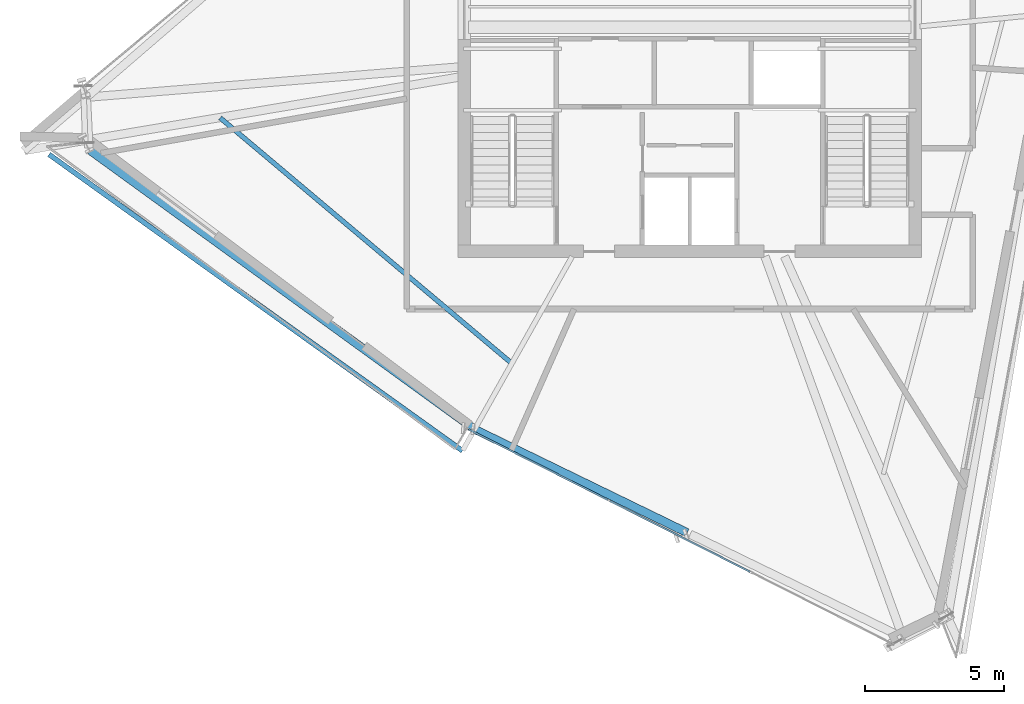
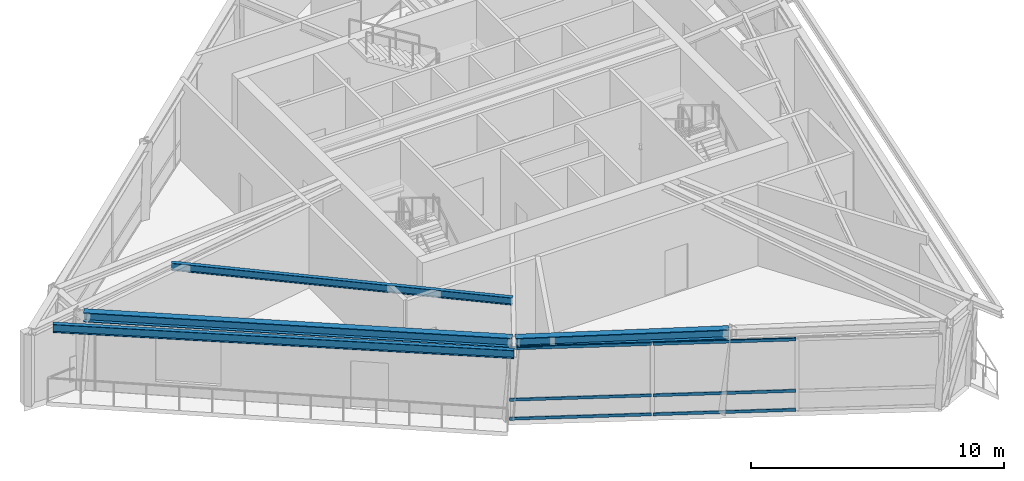
# One storey, part 3 of 21: 6 members, 4 beams, 1 element without a shape of its own.
"""IFC4 building model written with IfcOpenShell, lengths in metres."""

import ifcopenshell
import ifcopenshell.guid

model = None  # the IFC model being written
_history = None  # IfcOwnerHistory: only IFC2X3 demands one
_inside = {}  # id of a spatial element -> (the spatial element, [elements in it])
_under = {}  # id of a project, library or spatial element -> (it, [spatial elements below it])
_declared = {}  # id of a project -> (the project, [libraries it declares])
_typed = {}  # id of a type object -> (the type object, [elements of that type])
_made_of = {}  # id of a material, layer set ... -> (it, [elements and type objects made of it])


def new_model(schema):
    """Start an empty IFC model of exactly this schema.

    Asked for "IFC4X3", IfcOpenShell would pick the latest addendum, in which some entities
    have other attributes; the version numbers below select the first issue.
    IFC2X3 requires an IfcOwnerHistory on every rooted entity: one is made here for all.
    """
    global model, _history
    if schema == "IFC4X3":
        model = ifcopenshell.file(schema_version=(4, 3, 0, 0))
    else:
        model = ifcopenshell.file(schema=schema)
    _inside.clear()
    _under.clear()
    _declared.clear()
    _typed.clear()
    _made_of.clear()
    _history = None
    if model.schema == "IFC2X3":
        org = make("IfcOrganization", Name="unknown")
        user = make(
            "IfcPersonAndOrganization",
            ThePerson=make("IfcPerson", FamilyName="unknown"),
            TheOrganization=org,
        )
        app = make(
            "IfcApplication",
            ApplicationDeveloper=org,
            Version="unknown",
            ApplicationFullName="unknown",
            ApplicationIdentifier="unknown",
        )
        _history = make(
            "IfcOwnerHistory",
            OwningUser=user,
            OwningApplication=app,
            ChangeAction="ADDED",
            CreationDate=0,
        )
    return model


def make(cls, **values):
    """One entity of the class cls with the attributes given. An attribute that is None is left unset."""
    return model.create_entity(
        cls, **{name: value for name, value in values.items() if value is not None}
    )


def rooted(cls, **values):
    """An entity with a GlobalId (a new one), such as an element, a storey or a relation."""
    return make(cls, GlobalId=ifcopenshell.guid.new(), OwnerHistory=_history, **values)


def si_unit(unit_type, name, prefix=None):
    """IfcSIUnit, for example si_unit("LENGTHUNIT", "METRE", prefix="MILLI")."""
    return make("IfcSIUnit", UnitType=unit_type, Prefix=prefix, Name=name)


def assignment(units):
    """IfcUnitAssignment: the units of a project."""
    return None if units is None else make("IfcUnitAssignment", Units=units)


def point(xyz):
    """IfcCartesianPoint."""
    return None if xyz is None else make("IfcCartesianPoint", Coordinates=xyz)


def direction(xyz):
    """IfcDirection."""
    return None if xyz is None else make("IfcDirection", DirectionRatios=xyz)


def frame(location, z_axis=None, x_axis=None):
    """IfcAxis2Placement3D, a coordinate frame: its origin and axes. An axis left out is left unset."""
    return make(
        "IfcAxis2Placement3D",
        Location=point(location),
        Axis=direction(z_axis),
        RefDirection=direction(x_axis),
    )


def frame_2d(location, x_axis=None):
    """IfcAxis2Placement2D, a coordinate frame in the plane: its origin and x axis."""
    return make(
        "IfcAxis2Placement2D", Location=point(location), RefDirection=direction(x_axis)
    )


def origin():
    """The frame at (0, 0, 0) with its axes left unset."""
    return frame((0.0, 0.0, 0.0))


def origin_2d():
    """The frame at (0, 0) in the plane with its x axis left unset."""
    return frame_2d((0.0, 0.0))


def place(relative_to, where):
    """IfcLocalPlacement: puts the frame where relative to a parent placement (None: the world)."""
    return make(
        "IfcLocalPlacement", PlacementRelTo=relative_to, RelativePlacement=where
    )


def context(
    kind, dimensions, precision=None, world=None, true_north=None, identifier=None
):
    """IfcGeometricRepresentationContext, for example the 3D "Model" context."""
    return make(
        "IfcGeometricRepresentationContext",
        ContextIdentifier=identifier,
        ContextType=kind,
        CoordinateSpaceDimension=dimensions,
        Precision=precision,
        WorldCoordinateSystem=world,
        TrueNorth=true_north,
    )


def subcontext(parent, identifier, kind, view, scale=None):
    """IfcGeometricRepresentationSubContext, for example "Body" below "Model"."""
    return make(
        "IfcGeometricRepresentationSubContext",
        ContextIdentifier=identifier,
        ContextType=kind,
        ParentContext=parent,
        TargetScale=scale,
        TargetView=view,
    )


def project(units=None, contexts=None):
    """IfcProject with its units and contexts."""
    return rooted(
        "IfcProject",
        Name="project",
        RepresentationContexts=contexts,
        UnitsInContext=assignment(units),
    )


def spatial(cls, under=None, at=None, **own):
    """A site, building, storey or space (cls), placed at a placement, below another one or the project."""
    s = rooted(cls, ObjectPlacement=at, **own)
    if under is not None:
        _under.setdefault(under.id(), (under, []))[1].append(s)
    return s


def profile(cls, at=None, kind="AREA", **sizes):
    """A parametric profile (cls). Its sizes go by their IFC names, for example OverallWidth=200.0."""
    return make(cls, ProfileType=kind, Position=at, **sizes)


def hollow_rectangle(**sizes):
    """IfcRectangleHollowProfileDef."""
    return profile("IfcRectangleHollowProfileDef", **sizes)


def i_section(**sizes):
    """IfcIShapeProfileDef."""
    return profile("IfcIShapeProfileDef", **sizes)


def extrude(swept, where, along, depth):
    """IfcExtrudedAreaSolid: the profile swept, set in the frame where, extruded along a direction by depth."""
    return make(
        "IfcExtrudedAreaSolid",
        SweptArea=swept,
        Position=where,
        ExtrudedDirection=direction(along),
        Depth=depth,
    )


def shape(context_of_items, identifier, shape_type, items):
    """IfcShapeRepresentation: the items that make up one representation, for example the "Body"."""
    return make(
        "IfcShapeRepresentation",
        ContextOfItems=context_of_items,
        RepresentationIdentifier=identifier,
        RepresentationType=shape_type,
        Items=items,
    )


def source(mapping_origin, context_of_items, identifier, shape_type, items):
    """IfcRepresentationMap: a shape defined once, which mapped items show again and again."""
    return make(
        "IfcRepresentationMap",
        MappingOrigin=mapping_origin,
        MappedRepresentation=shape(context_of_items, identifier, shape_type, items),
    )


def transform(
    local_origin,
    x_axis=None,
    y_axis=None,
    z_axis=None,
    scale=None,
    scale2=None,
    scale3=None,
    uniform=True,
):
    """IfcCartesianTransformationOperator3D, or its non-uniform kind. x_axis, y_axis, z_axis: its Axis1, 2, 3."""
    if uniform:
        return make(
            "IfcCartesianTransformationOperator3D",
            Axis1=direction(x_axis),
            Axis2=direction(y_axis),
            LocalOrigin=point(local_origin),
            Scale=scale,
            Axis3=direction(z_axis),
        )
    return make(
        "IfcCartesianTransformationOperator3DnonUniform",
        Axis1=direction(x_axis),
        Axis2=direction(y_axis),
        LocalOrigin=point(local_origin),
        Scale=scale,
        Axis3=direction(z_axis),
        Scale2=scale2,
        Scale3=scale3,
    )


def mapped(mapping_source, mapping_target):
    """IfcMappedItem: shows the shape of a source again, moved by a transform."""
    return make(
        "IfcMappedItem", MappingSource=mapping_source, MappingTarget=mapping_target
    )


def material(Name=None, Category=None):
    """IfcMaterial."""
    return make("IfcMaterial", Name=Name, Category=Category)


def material_profile(
    of_material, cross_section, Name=None, Category=None, Priority=None
):
    """IfcMaterialProfile: a cross section and its material."""
    return make(
        "IfcMaterialProfile",
        Name=Name,
        Material=of_material,
        Profile=cross_section,
        Priority=Priority,
        Category=Category,
    )


def profile_set(profiles, Name=None, composite=None):
    """IfcMaterialProfileSet."""
    return make(
        "IfcMaterialProfileSet",
        Name=Name,
        MaterialProfiles=profiles,
        CompositeProfile=composite,
    )


def made_of(thing, what):
    """Note that an element or type object is made of a material, layer set ...; save() writes the relation."""
    if what is not None:
        _made_of.setdefault(what.id(), (what, []))[1].append(thing)
    return thing


def type_object(cls, material=None, **own):
    """A type object (cls), such as IfcWallType, which elements share."""
    return made_of(rooted(cls, **own), material)


def element(
    cls,
    number,
    at=None,
    inside=None,
    cuts=None,
    type_object=None,
    material=None,
    context=None,
    identifier="Body",
    shape_type=None,
    held_by="IfcProductDefinitionShape",
    body=None,
    shapes=None,
    **own,
):
    """One element of the class cls, such as IfcWall. Its Tag is "e" and its number.

    at: its placement. inside: the storey or other place that contains it. cuts: it is an
    opening in that element (IfcRelVoidsElement). A single representation is given by context,
    identifier, shape_type and body (its items); several are given by shapes. held_by: the class
    of the entity that holds the representations. save() writes the other relations.
    """
    e = rooted(cls, Tag="e%d" % number, ObjectPlacement=at, **own)
    if body is not None:
        shapes = [shape(context, identifier, shape_type, body)]
    if shapes is not None:
        e.Representation = make(held_by, Representations=shapes)
    if inside is not None:
        _inside.setdefault(inside.id(), (inside, []))[1].append(e)
    if cuts is not None:
        rooted(
            "IfcRelVoidsElement", RelatingBuildingElement=cuts, RelatedOpeningElement=e
        )
    if type_object is not None:
        _typed.setdefault(type_object.id(), (type_object, []))[1].append(e)
    return made_of(e, material)


def aggregate(whole, parts):
    """IfcRelAggregates: a whole, such as a stair, and the parts it consists of."""
    return rooted("IfcRelAggregates", RelatingObject=whole, RelatedObjects=parts)


def save(model, path):
    """Write the relations noted so far, then the file.

    IfcRelAggregates (storeys below a building ...), IfcRelContainedInSpatialStructure (elements
    in a storey), IfcRelDefinesByType, IfcRelAssociatesMaterial and IfcRelDeclares: one each for
    every whole, place, type object, material and project.
    """
    for whole, parts in _under.values():
        aggregate(whole, parts)
    for where, things in _inside.values():
        rooted(
            "IfcRelContainedInSpatialStructure",
            RelatedElements=things,
            RelatingStructure=where,
        )
    for kind, things in _typed.values():
        rooted("IfcRelDefinesByType", RelatedObjects=things, RelatingType=kind)
    for what, things in _made_of.values():
        rooted("IfcRelAssociatesMaterial", RelatedObjects=things, RelatingMaterial=what)
    for by, libraries in _declared.values():
        rooted("IfcRelDeclares", RelatingContext=by, RelatedDefinitions=libraries)
    model.write(path)


model = new_model("IFC4")

# Units and contexts
model_context = context("Model", 3, precision=1e-05, world=origin(), true_north=direction((0.0, 1.0)))
body_context = subcontext(model_context, "Body", "Model", "MODEL_VIEW")
ifc_project = project(units=[si_unit("LENGTHUNIT", "METRE"), si_unit("AREAUNIT", "SQUARE_METRE"), si_unit("VOLUMEUNIT", "CUBIC_METRE"), si_unit("PLANEANGLEUNIT", "RADIAN"), si_unit("MASSUNIT", "GRAM", prefix="KILO")], contexts=[model_context])

# Site, building, storey
site_placement = place(None, origin())
site = spatial("IfcSite", under=ifc_project, at=site_placement, CompositionType="ELEMENT")
building_placement = place(site_placement, origin())
building = spatial("IfcBuilding", under=site, at=building_placement, Name="Olszyna Solenne Hotel", CompositionType="ELEMENT")
storey_placement = place(building_placement, frame((0.0, 0.0, 277.699951171875)))
storey = spatial("IfcBuildingStorey", under=building, at=storey_placement, Name="L74", CompositionType="ELEMENT", Elevation=277.699951171875)

# Beams
ifc_material_1 = material(Name="Steel S355J2", Category="steel")
ifc_material_profile_1 = material_profile(ifc_material_1, i_section(OverallWidth=0.300048828125, OverallDepth=0.449951171875, WebThickness=0.013916015625, FlangeThickness=0.02587890625, at=origin_2d()), Name="HEB 450", Category="load-bearing")
ifc_profile_set_1 = profile_set([ifc_material_profile_1], Name="Steel S355J2")
beam_type_1 = type_object("IfcBeamType", Name="BM-S4", PredefinedType="BEAM", material=ifc_profile_set_1)
shared_shape_1 = source(origin(), body_context, "Body", "SweptSolid", [
    extrude(i_section(OverallWidth=0.300048828125, OverallDepth=0.449951171875, WebThickness=0.013916015625, FlangeThickness=0.02587890625, at=origin_2d()), origin(), (0.0, 0.0, 1.0), 17.051513671875),
])
beam_1_placement = place(storey_placement, frame((16.3974609375, 22.91162109375, 3.695068359375), z_axis=(0.809429587452, -0.587216947096, 0.0), x_axis=(0.587216947096, 0.809429587452, 0.0)))
element("IfcBeam", 1, at=beam_1_placement, inside=storey, type_object=beam_type_1, Name="Perimeter spandrel beam BM-S4 B-L74-2173", PredefinedType="BEAM", context=body_context, shape_type="MappedRepresentation", body=[
    mapped(shared_shape_1, transform((0.0, 0.0, 0.0), x_axis=(1.0, 0.0, 0.0), y_axis=(0.0, 1.0, 0.0), z_axis=(0.0, 0.0, 1.0), scale=1.0)),
])
shared_shape_2 = source(origin(), body_context, "Body", "SweptSolid", [
    extrude(i_section(OverallWidth=0.300048828125, OverallDepth=0.449951171875, WebThickness=0.013916015625, FlangeThickness=0.02587890625, at=origin_2d()), origin(), (0.0, 0.0, 1.0), 8.465576171875),
])
beam_2_placement = place(storey_placement, frame((30.302001953125, 12.83740234375, 3.695068359375), z_axis=(0.899264828719, -0.437404581399, 0.0), x_axis=(0.437404581399, 0.899264828719, 0.0)))
element("IfcBeam", 2, at=beam_2_placement, inside=storey, type_object=beam_type_1, Name="Perimeter spandrel beam BM-S4 B-L74-2174", PredefinedType="BEAM", context=body_context, shape_type="MappedRepresentation", body=[
    mapped(shared_shape_2, transform((0.0, 0.0, 0.0), x_axis=(1.0, 0.0, 0.0), y_axis=(0.0, 1.0, 0.0), z_axis=(0.0, 0.0, 1.0), scale=1.0)),
])
ifc_material_profile_2 = material_profile(ifc_material_1, i_section(OverallWidth=0.169921875, OverallDepth=0.360107421875, WebThickness=0.008056640625, FlangeThickness=0.0126953125, at=origin_2d()), Name="IPE 360", Category="load-bearing")
ifc_profile_set_2 = profile_set([ifc_material_profile_2], Name="Steel S355J2")
beam_type_2 = type_object("IfcBeamType", Name="JS-01", PredefinedType="JOIST", material=ifc_profile_set_2)
shared_shape_3 = source(origin(), body_context, "Body", "SweptSolid", [
    extrude(i_section(OverallWidth=0.169921875, OverallDepth=0.360107421875, WebThickness=0.008056640625, FlangeThickness=0.0126953125, at=origin_2d()), origin(), (0.0, 0.0, 1.0), 13.72021484375),
])
beam_3_placement = place(storey_placement, frame((21.0791015625, 24.088623046875, 3.739990234375), z_axis=(0.765014551216, -0.64401299399, 0.0), x_axis=(0.64401299399, 0.765014551216, 0.0)))
element("IfcBeam", 3, at=beam_3_placement, inside=storey, type_object=beam_type_2, Name="Secondary composite floor joist JS-01 B-L74-2190", PredefinedType="JOIST", context=body_context, shape_type="MappedRepresentation", body=[
    mapped(shared_shape_3, transform((0.0, 0.0, 0.0), x_axis=(1.0, 0.0, 0.0), y_axis=(0.0, 1.0, 0.0), z_axis=(0.0, 0.0, 1.0), scale=1.0)),
])
ifc_material_profile_3 = material_profile(ifc_material_1, i_section(OverallWidth=0.179931640625, OverallDepth=0.39990234375, WebThickness=0.008544921875, FlangeThickness=0.013427734375, at=origin_2d()), Name="IPE 400", Category="load-bearing")
ifc_profile_set_3 = profile_set([ifc_material_profile_3], Name="Steel S355J2")
beam_type_3 = type_object("IfcBeamType", Name="BM-F5", PredefinedType="BEAM", material=ifc_profile_set_3)
shared_shape_4 = source(origin(), body_context, "Body", "SweptSolid", [
    extrude(i_section(OverallWidth=0.179931640625, OverallDepth=0.39990234375, WebThickness=0.008544921875, FlangeThickness=0.013427734375, at=origin_2d()), origin(), (0.0, 0.0, 1.0), 18.34033203125),
])
beam_4_placement = place(storey_placement, frame((14.907470703125, 22.7734375, 3.719970703125), z_axis=(0.812692417756, -0.582692915799, 0.0), x_axis=(0.582692915799, 0.812692417756, 0.0)))
element("IfcBeam", 4, at=beam_4_placement, inside=storey, type_object=beam_type_3, Name="Loggia outer edge beam BM-F5 B-L74-2194", PredefinedType="BEAM", context=body_context, shape_type="MappedRepresentation", body=[
    mapped(shared_shape_4, transform((0.0, 0.0, 0.0), x_axis=(1.0, 0.0, 0.0), y_axis=(0.0, 1.0, 0.0), z_axis=(0.0, 0.0, 1.0), scale=1.0)),
])

# Curtain wall, members
ifc_material_2 = material(Name="Anodised bronze aluminium", Category="aluminium")
curtain_wall_type = type_object("IfcCurtainWallType", Name="CW-SYS-7", PredefinedType="NOTDEFINED", material=ifc_material_2)
curtain_wall_placement = place(storey_placement, origin())
curtain_wall = element("IfcCurtainWall", 5, at=curtain_wall_placement, inside=storey, type_object=curtain_wall_type, Name="Unitised curtain wall CW-SYS-7 CW-L74-01", PredefinedType="NOTDEFINED")
ifc_material_profile_4 = material_profile(ifc_material_2, hollow_rectangle(XDim=0.06494140625, YDim=0.139892578125, WallThickness=0.00390625, at=origin_2d()), Name="TRAN 140x65x4", Category="load-bearing")
ifc_profile_set_4 = profile_set([ifc_material_profile_4], Name="Anodised bronze aluminium")
member_type = type_object("IfcMemberType", Name="CW-T2", PredefinedType="USERDEFINED", material=ifc_profile_set_4)
shared_shape_5 = source(origin(), body_context, "Body", "SweptSolid", [
    extrude(hollow_rectangle(XDim=0.06494140625, YDim=0.139892578125, WallThickness=0.00390625, at=origin_2d()), origin(), (0.0, 0.0, 1.0), 5.635009765625),
])
member_1_placement = place(storey_placement, frame((30.034423828125, 12.860107421875, 0.032470703125), z_axis=(0.892232954494, -0.451575414426, 0.0), x_axis=(0.451575414426, 0.892232954494, 0.0)))
member_1 = element("IfcMember", 6, at=member_1_placement, type_object=member_type, Name="Curtain-wall transom CW-T2 CT-L74-01-01", ObjectType="TRANSOM", PredefinedType="USERDEFINED", context=body_context, shape_type="MappedRepresentation", body=[
    mapped(shared_shape_5, transform((0.0, 0.0, 0.0), x_axis=(1.0, 0.0, 0.0), y_axis=(0.0, 1.0, 0.0), z_axis=(0.0, 0.0, 1.0), scale=1.0)),
])
member_2_placement = place(storey_placement, frame((30.034423828125, 12.860107421875, 0.949951171875), z_axis=(0.892232954494, -0.451575414426, 0.0), x_axis=(0.451575414426, 0.892232954494, 0.0)))
member_2 = element("IfcMember", 7, at=member_2_placement, type_object=member_type, Name="Curtain-wall transom CW-T2 CT-L74-01-02", ObjectType="TRANSOM", PredefinedType="USERDEFINED", context=body_context, shape_type="MappedRepresentation", body=[
    mapped(shared_shape_5, transform((0.0, 0.0, 0.0), x_axis=(1.0, 0.0, 0.0), y_axis=(0.0, 1.0, 0.0), z_axis=(0.0, 0.0, 1.0), scale=1.0)),
])
member_3_placement = place(storey_placement, frame((30.034423828125, 12.860107421875, 3.429443359375), z_axis=(0.892232954494, -0.451575414426, 0.0), x_axis=(0.451575414426, 0.892232954494, 0.0)))
member_3 = element("IfcMember", 8, at=member_3_placement, type_object=member_type, Name="Curtain-wall transom CW-T2 CT-L74-01-03", ObjectType="TRANSOM", PredefinedType="USERDEFINED", context=body_context, shape_type="MappedRepresentation", body=[
    mapped(shared_shape_5, transform((0.0, 0.0, 0.0), x_axis=(1.0, 0.0, 0.0), y_axis=(0.0, 1.0, 0.0), z_axis=(0.0, 0.0, 1.0), scale=1.0)),
])
shared_shape_6 = source(origin(), body_context, "Body", "SweptSolid", [
    extrude(hollow_rectangle(XDim=0.06494140625, YDim=0.139892578125, WallThickness=0.00390625, at=origin_2d()), origin(), (0.0, 0.0, 1.0), 5.66748046875),
])
member_4_placement = place(storey_placement, frame((35.120361328125, 10.2861328125, 0.032470703125), z_axis=(0.892228128602, -0.451584949408, 0.0), x_axis=(0.451584949408, 0.892228128602, 0.0)))
member_4 = element("IfcMember", 9, at=member_4_placement, type_object=member_type, Name="Curtain-wall transom CW-T2 CT-L74-01-04", ObjectType="TRANSOM", PredefinedType="USERDEFINED", context=body_context, shape_type="MappedRepresentation", body=[
    mapped(shared_shape_6, transform((0.0, 0.0, 0.0), x_axis=(1.0, 0.0, 0.0), y_axis=(0.0, 1.0, 0.0), z_axis=(0.0, 0.0, 1.0), scale=1.0)),
])
member_5_placement = place(storey_placement, frame((35.120361328125, 10.2861328125, 0.949951171875), z_axis=(0.892228128602, -0.451584949408, 0.0), x_axis=(0.451584949408, 0.892228128602, 0.0)))
member_5 = element("IfcMember", 10, at=member_5_placement, type_object=member_type, Name="Curtain-wall transom CW-T2 CT-L74-01-05", ObjectType="TRANSOM", PredefinedType="USERDEFINED", context=body_context, shape_type="MappedRepresentation", body=[
    mapped(shared_shape_6, transform((0.0, 0.0, 0.0), x_axis=(1.0, 0.0, 0.0), y_axis=(0.0, 1.0, 0.0), z_axis=(0.0, 0.0, 1.0), scale=1.0)),
])
member_6_placement = place(storey_placement, frame((35.120361328125, 10.2861328125, 3.429443359375), z_axis=(0.892228128602, -0.451584949408, 0.0), x_axis=(0.451584949408, 0.892228128602, 0.0)))
member_6 = element("IfcMember", 11, at=member_6_placement, type_object=member_type, Name="Curtain-wall transom CW-T2 CT-L74-01-06", ObjectType="TRANSOM", PredefinedType="USERDEFINED", context=body_context, shape_type="MappedRepresentation", body=[
    mapped(shared_shape_6, transform((0.0, 0.0, 0.0), x_axis=(1.0, 0.0, 0.0), y_axis=(0.0, 1.0, 0.0), z_axis=(0.0, 0.0, 1.0), scale=1.0)),
])
aggregate(curtain_wall, [member_1, member_2, member_3, member_4, member_5, member_6])

save(model, "model.ifc")
